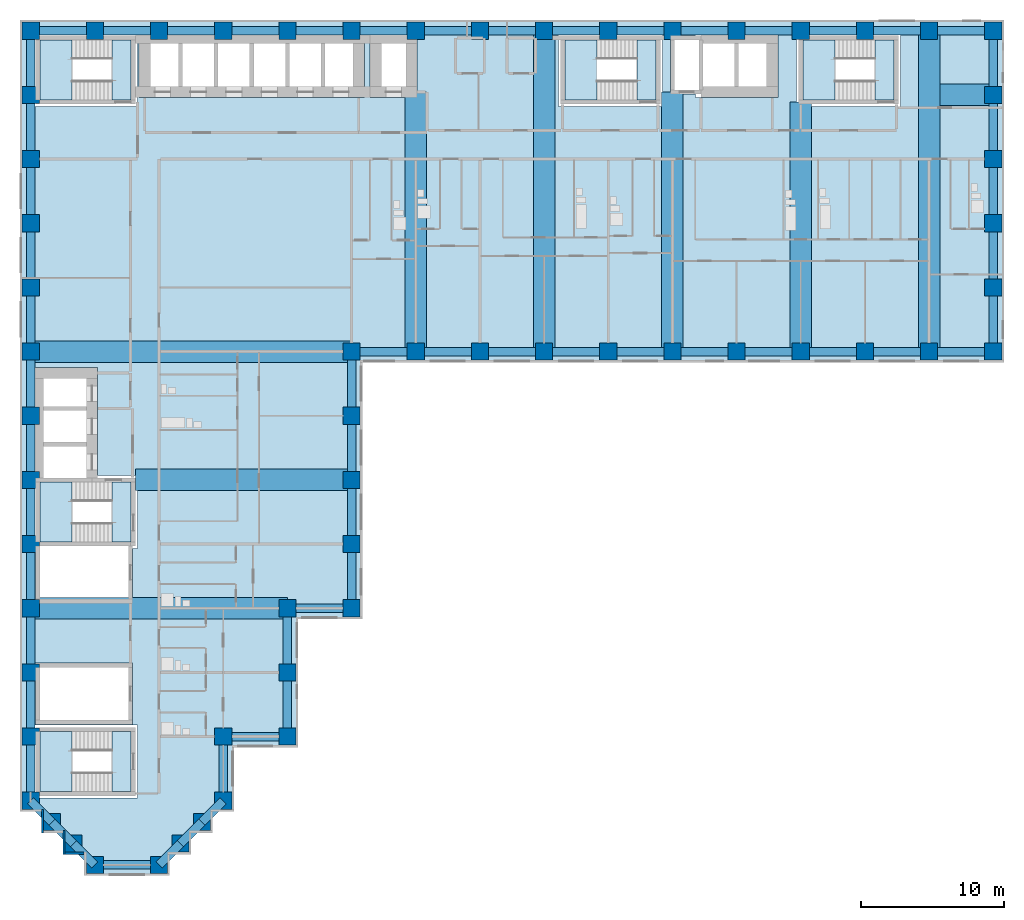
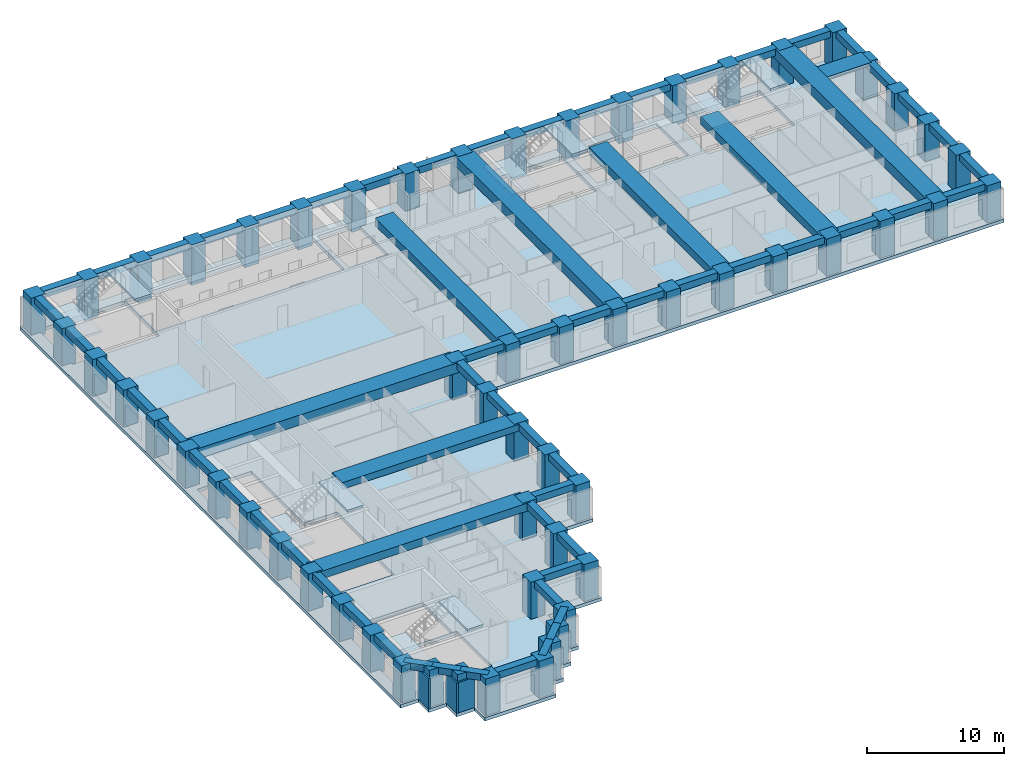
# One storey, part 1 of 12: 67 beams, 58 columns, 11 slabs, 3 walls, 5 elements without a shape of their own.
"""IFC4 building model written with IfcOpenShell, lengths in metres."""

from ifc_helpers import new_model, si_unit, direction, frame, frame_2d, origin, origin_2d, place, context, subcontext, project, spatial, polyline, rectangle, outline, extrude, material, layer, layer_set, material_profile, profile_set, type_object, element, aggregate, save


model = new_model("IFC4")

# Units and contexts
model_context = context("Model", 3, precision=1e-05, world=origin(), true_north=direction((0.0, 1.0)))
body_context = subcontext(model_context, "Body", "Model", "MODEL_VIEW")
ifc_project = project(units=[si_unit("LENGTHUNIT", "METRE"), si_unit("AREAUNIT", "SQUARE_METRE"), si_unit("VOLUMEUNIT", "CUBIC_METRE"), si_unit("PLANEANGLEUNIT", "RADIAN"), si_unit("MASSUNIT", "GRAM", prefix="KILO")], contexts=[model_context])

# Site, building, storey
site_placement = place(None, origin())
site = spatial("IfcSite", under=ifc_project, at=site_placement, CompositionType="ELEMENT")
building_placement = place(site_placement, origin())
building = spatial("IfcBuilding", under=site, at=building_placement, Name="Firuza Court", CompositionType="ELEMENT")
storey_placement = place(building_placement, frame((0.0, 0.0, 43.39990234375)))
storey = spatial("IfcBuildingStorey", under=building, at=storey_placement, Name="L09", CompositionType="ELEMENT", Elevation=43.39990234375)

# Columns
ifc_material_1 = material(Name="Concrete C70/85", Category="concrete")
ifc_material_profile_1 = material_profile(ifc_material_1, rectangle(XDim=1.199951171875, YDim=1.199951171875, at=origin_2d()), Name="RC 1200x1200")
ifc_profile_set_1 = profile_set([ifc_material_profile_1], Name="Concrete C70/85")
column_type = type_object("IfcColumnType", Name="Tube column RC 1200x1200 C70/85", PredefinedType="COLUMN", material=ifc_profile_set_1)
for number, where, z_axis, x_axis, name in (
    (1, (4.5, 0.0, -0.2998046875), (0.0, 0.0, 1.0), (1.0, 0.0, 0.0), "Column C-2D L09"),
    (2, (9.0, 0.0, -0.2998046875), (0.0, 0.0, 1.0), (1.0, 0.0, 0.0), "Column C-3D L09"),
    (3, (3.0, 1.5, -0.2998046875), (0.0, 0.0, 1.0), (1.0, 0.0, 0.0), "Column C-SA1 L09"),
    (4, (10.5, 1.5, -0.2998046875), (0.0, 0.0, 1.0), (1.0, 0.0, 0.0), "Column C-SA2 L09"),
    (5, (1.5, 3.0, -0.2998046875), (0.0, 0.0, 1.0), (1.0, 0.0, 0.0), "Column C-SA3 L09"),
    (6, (12.0, 3.0, -0.2998046875), (0.0, 0.0, 1.0), (1.0, 0.0, 0.0), "Column C-SA4 L09"),
    (7, (0.0, 4.5, -0.2998046875), (0.0, 0.0, 1.0), (1.0, 0.0, 0.0), "Column C-1E L09"),
    (8, (13.5, 4.5, -0.2998046875), (0.0, 0.0, 1.0), (1.0, 0.0, 0.0), "Column C-4E L09"),
    (9, (0.0, 9.0, -0.2998046875), (0.0, 0.0, 1.0), (1.0, 0.0, 0.0), "Column C-1F L09"),
    (10, (13.5, 9.0, -0.2998046875), (0.0, 0.0, 1.0), (1.0, 0.0, 0.0), "Column C-4F L09"),
    (11, (18.0, 9.0, -0.2998046875), (0.0, 0.0, 1.0), (1.0, 0.0, 0.0), "Column C-5F L09"),
    (12, (0.0, 13.5, -0.2998046875), (0.0, 0.0, 1.0), (1.0, 0.0, 0.0), "Column C-1G L09"),
    (13, (18.0, 13.5, -0.2998046875), (0.0, 0.0, 1.0), (1.0, 0.0, 0.0), "Column C-5G L09"),
    (14, (0.0, 18.0, -0.2998046875), (0.0, 0.0, 1.0), (1.0, 0.0, 0.0), "Column C-1H L09"),
    (15, (18.0, 18.0, -0.2998046875), (0.0, 0.0, 1.0), (1.0, 0.0, 0.0), "Column C-5H L09"),
    (16, (22.5, 18.0, -0.2998046875), (0.0, 0.0, 1.0), (1.0, 0.0, 0.0), "Column C-6H L09"),
    (17, (0.0, 22.5, -0.2998046875), (0.0, 0.0, 1.0), (1.0, 0.0, 0.0), "Column C-1J L09"),
    (18, (22.5, 22.5, -0.2998046875), (0.0, 0.0, 1.0), (1.0, 0.0, 0.0), "Column C-6J L09"),
    (19, (0.0, 27.0, -0.2998046875), (0.0, 0.0, 1.0), (1.0, 0.0, 0.0), "Column C-1K L09"),
    (20, (22.5, 27.0, -0.2998046875), (0.0, 0.0, 1.0), (1.0, 0.0, 0.0), "Column C-6K L09"),
    (21, (0.0, 31.5, -0.2998046875), (0.0, 0.0, 1.0), (1.0, 0.0, 0.0), "Column C-1L L09"),
    (22, (22.5, 31.5, -0.2998046875), (0.0, 0.0, 1.0), (1.0, 0.0, 0.0), "Column C-6L L09"),
    (23, (0.0, 36.0, -0.2998046875), (0.0, 0.0, 1.0), (1.0, 0.0, 0.0), "Column C-1M L09"),
    (24, (22.5, 36.0, -0.2998046875), (0.0, 0.0, 1.0), (1.0, 0.0, 0.0), "Column C-6M L09"),
    (25, (27.0, 36.0, -0.2998046875), (0.0, 0.0, 1.0), (1.0, 0.0, 0.0), "Column C-7M L09"),
    (26, (31.5, 36.0, -0.2998046875), (0.0, 0.0, 1.0), (1.0, 0.0, 0.0), "Column C-8M L09"),
    (27, (36.0, 36.0, -0.2998046875), (0.0, 0.0, 1.0), (1.0, 0.0, 0.0), "Column C-9M L09"),
    (28, (40.5, 36.0, -0.2998046875), (0.0, 0.0, 1.0), (1.0, 0.0, 0.0), "Column C-10M L09"),
    (29, (45.0, 36.0, -0.2998046875), (0.0, 0.0, 1.0), (1.0, 0.0, 0.0), "Column C-11M L09"),
    (30, (49.5, 36.0, -0.2998046875), (0.0, 0.0, 1.0), (1.0, 0.0, 0.0), "Column C-12M L09"),
    (31, (54.0, 36.0, -0.2998046875), (0.0, 0.0, 1.0), (1.0, 0.0, 0.0), "Column C-13M L09"),
    (32, (58.5, 36.0, -0.2998046875), (0.0, 0.0, 1.0), (1.0, 0.0, 0.0), "Column C-14M L09"),
    (33, (63.0, 36.0, -0.2998046875), (0.0, 0.0, 1.0), (1.0, 0.0, 0.0), "Column C-15M L09"),
    (34, (67.5, 36.0, -0.2998046875), (0.0, 0.0, 1.0), (1.0, 0.0, 0.0), "Column C-16M L09"),
    (35, (0.0, 40.5, -0.2998046875), (0.0, 0.0, 1.0), (1.0, 0.0, 0.0), "Column C-1N L09"),
    (36, (67.5, 40.5, -0.2998046875), (0.0, 0.0, 1.0), (1.0, 0.0, 0.0), "Column C-16N L09"),
    (37, (0.0, 45.0, -0.2998046875), (0.0, 0.0, 1.0), (1.0, 0.0, 0.0), "Column C-1P L09"),
    (38, (67.5, 45.0, -0.2998046875), (0.0, 0.0, 1.0), (1.0, 0.0, 0.0), "Column C-16P L09"),
    (39, (0.0, 49.5, -0.2998046875), (0.0, 0.0, 1.0), (1.0, 0.0, 0.0), "Column C-1Q L09"),
    (40, (67.5, 49.5, -0.2998046875), (0.0, 0.0, 1.0), (1.0, 0.0, 0.0), "Column C-16Q L09"),
    (41, (0.0, 54.0, -0.2998046875), (0.0, 0.0, 1.0), (1.0, 0.0, 0.0), "Column C-1R L09"),
    (42, (67.5, 54.0, -0.2998046875), (0.0, 0.0, 1.0), (1.0, 0.0, 0.0), "Column C-16R L09"),
    (43, (0.0, 58.5, -0.2998046875), (0.0, 0.0, 1.0), (1.0, 0.0, 0.0), "Column C-1S L09"),
    (44, (4.5, 58.5, -0.2998046875), (0.0, 0.0, 1.0), (1.0, 0.0, 0.0), "Column C-2S L09"),
    (45, (9.0, 58.5, -0.2998046875), (0.0, 0.0, 1.0), (1.0, 0.0, 0.0), "Column C-3S L09"),
    (46, (13.5, 58.5, -0.2998046875), (0.0, 0.0, 1.0), (1.0, 0.0, 0.0), "Column C-4S L09"),
    (47, (18.0, 58.5, -0.2998046875), (0.0, 0.0, 1.0), (1.0, 0.0, 0.0), "Column C-5S L09"),
    (48, (22.5, 58.5, -0.2998046875), (0.0, 0.0, 1.0), (1.0, 0.0, 0.0), "Column C-6S L09"),
    (49, (27.0, 58.5, -0.2998046875), (0.0, 0.0, 1.0), (1.0, 0.0, 0.0), "Column C-7S L09"),
    (50, (31.5, 58.5, -0.2998046875), (0.0, 0.0, 1.0), (1.0, 0.0, 0.0), "Column C-8S L09"),
    (51, (36.0, 58.5, -0.2998046875), (0.0, 0.0, 1.0), (1.0, 0.0, 0.0), "Column C-9S L09"),
    (52, (40.5, 58.5, -0.2998046875), (0.0, 0.0, 1.0), (1.0, 0.0, 0.0), "Column C-10S L09"),
    (53, (45.0, 58.5, -0.2998046875), (0.0, 0.0, 1.0), (1.0, 0.0, 0.0), "Column C-11S L09"),
    (54, (49.5, 58.5, -0.2998046875), (0.0, 0.0, 1.0), (1.0, 0.0, 0.0), "Column C-12S L09"),
    (55, (54.0, 58.5, -0.2998046875), (0.0, 0.0, 1.0), (1.0, 0.0, 0.0), "Column C-13S L09"),
    (56, (58.5, 58.5, -0.2998046875), (0.0, 0.0, 1.0), (1.0, 0.0, 0.0), "Column C-14S L09"),
    (57, (63.0, 58.5, -0.2998046875), (0.0, 0.0, 1.0), (1.0, 0.0, 0.0), "Column C-15S L09"),
    (58, (67.5, 58.5, -0.2998046875), (0.0, 0.0, 1.0), (1.0, 0.0, 0.0), "Column C-16S L09"),
):
    element("IfcColumn", number, at=place(storey_placement, frame(where, z_axis=z_axis, x_axis=x_axis)), inside=storey, type_object=column_type, Name=name, PredefinedType="COLUMN", context=body_context, shape_type="SweptSolid", body=[
        extrude(rectangle(XDim=1.199951171875, YDim=1.199951171875, at=origin_2d()), origin(), (0.0, 0.0, 1.0), 3.599853515625),
    ])

# Beams
ifc_material_2 = material(Name="Concrete C40/50", Category="concrete")
ifc_material_profile_2 = material_profile(ifc_material_2, rectangle(XDim=1.5, YDim=0.300048828125, at=origin_2d()), Name="RC 1500x300")
ifc_profile_set_2 = profile_set([ifc_material_profile_2], Name="Concrete C40/50")
beam_type_1 = type_object("IfcBeamType", Name="Band beam RC 1500x300 C40/50", PredefinedType="BEAM", material=ifc_profile_set_2)
beam_1_placement = place(storey_placement, frame((67.5, 54.0, 3.150146484375), z_axis=(-1.0, 0.0, 0.0), x_axis=(0.0, -1.0, 0.0)))
element("IfcBeam", 59, at=beam_1_placement, inside=storey, type_object=beam_type_1, Name="Band beam FB6 level L10", PredefinedType="BEAM", context=body_context, shape_type="SweptSolid", body=[
    extrude(rectangle(XDim=1.5, YDim=0.300048828125, at=origin_2d()), origin(), (0.0, 0.0, 1.0), 3.75),
])
ifc_material_3 = material(Name="Concrete C40/50", Category="concrete")
ifc_material_profile_3 = material_profile(ifc_material_3, rectangle(XDim=1.5, YDim=0.60009765625, at=origin_2d()), Name="RC 1500x600")
ifc_profile_set_3 = profile_set([ifc_material_profile_3], Name="Concrete C40/50")
beam_type_2 = type_object("IfcBeamType", Name="Band beam RC 1500x600 C40/50", PredefinedType="BEAM", material=ifc_profile_set_3)
beam_2_placement = place(storey_placement, frame((22.5, 27.0, 3.0), z_axis=(-1.0, 0.0, 0.0), x_axis=(0.0, -1.0, 0.0)))
element("IfcBeam", 60, at=beam_2_placement, inside=storey, type_object=beam_type_2, Name="Band beam FB3 level L10", PredefinedType="BEAM", context=body_context, shape_type="SweptSolid", body=[
    extrude(rectangle(XDim=1.5, YDim=0.60009765625, at=origin_2d()), origin(), (0.0, 0.0, 1.0), 15.14990234375),
])
ifc_material_4 = material(Name="Concrete C40/50", Category="concrete")
ifc_material_profile_4 = material_profile(ifc_material_4, rectangle(XDim=1.5, YDim=0.699951171875, at=origin_2d()), Name="RC 1500x700")
ifc_profile_set_4 = profile_set([ifc_material_profile_4], Name="Concrete C40/50")
beam_type_3 = type_object("IfcBeamType", Name="Band beam RC 1500x700 C40/50", PredefinedType="BEAM", material=ifc_profile_set_4)
beam_3_placement = place(storey_placement, frame((0.0, 18.0, 2.9501953125), z_axis=(1.0, 0.0, 0.0), x_axis=(0.0, 1.0, 0.0)))
element("IfcBeam", 61, at=beam_3_placement, inside=storey, type_object=beam_type_3, Name="Band beam FB1 level L10", PredefinedType="BEAM", context=body_context, shape_type="SweptSolid", body=[
    extrude(rectangle(XDim=1.5, YDim=0.699951171875, at=origin_2d()), origin(), (0.0, 0.0, 1.0), 18.0),
])
for number, where, z_axis, x_axis, name in (
    (62, (27.0, 36.0, 2.9501953125), (0.0, 1.0, 0.0), (-1.0, 0.0, 0.0), "Band beam FB1 level L10"),
    (63, (45.0, 36.0, 2.9501953125), (0.0, 1.0, 0.0), (-1.0, 0.0, 0.0), "Band beam FB1 level L10"),
):
    element("IfcBeam", number, at=place(storey_placement, frame(where, z_axis=z_axis, x_axis=x_axis)), inside=storey, type_object=beam_type_3, Name=name, PredefinedType="BEAM", context=body_context, shape_type="SweptSolid", body=[
        extrude(rectangle(XDim=1.5, YDim=0.699951171875, at=origin_2d()), origin(), (0.0, 0.0, 1.0), 18.199951171875),
    ])
beam_4_placement = place(storey_placement, frame((54.0, 36.0, 2.9501953125), z_axis=(0.0, 1.0, 0.0), x_axis=(-1.0, 0.0, 0.0)))
element("IfcBeam", 64, at=beam_4_placement, inside=storey, type_object=beam_type_3, Name="Band beam FB1 level L10", PredefinedType="BEAM", context=body_context, shape_type="SweptSolid", body=[
    extrude(rectangle(XDim=1.5, YDim=0.699951171875, at=origin_2d()), origin(), (0.0, 0.0, 1.0), 17.5),
])
ifc_material_5 = material(Name="Concrete C40/50", Category="concrete")
ifc_material_profile_5 = material_profile(ifc_material_5, rectangle(XDim=1.5, YDim=0.89990234375, at=origin_2d()), Name="RC 1500x900")
ifc_profile_set_5 = profile_set([ifc_material_profile_5], Name="Concrete C40/50")
beam_type_4 = type_object("IfcBeamType", Name="Band beam RC 1500x900 C40/50", PredefinedType="BEAM", material=ifc_profile_set_5)
for number, where, z_axis, x_axis, name in (
    (65, (0.0, 36.0, 2.85009765625), (1.0, 0.0, 0.0), (0.0, 1.0, 0.0), "Band beam FB2 level L10"),
    (66, (36.0, 36.0, 2.85009765625), (0.0, 1.0, 0.0), (-1.0, 0.0, 0.0), "Band beam FB2 level L10"),
    (67, (63.0, 36.0, 2.85009765625), (0.0, 1.0, 0.0), (-1.0, 0.0, 0.0), "Band beam FB2 level L10"),
):
    element("IfcBeam", number, at=place(storey_placement, frame(where, z_axis=z_axis, x_axis=x_axis)), inside=storey, type_object=beam_type_4, Name=name, PredefinedType="BEAM", context=body_context, shape_type="SweptSolid", body=[
        extrude(rectangle(XDim=1.5, YDim=0.89990234375, at=origin_2d()), origin(), (0.0, 0.0, 1.0), 22.5),
    ])
ifc_material_6 = material(Name="Concrete C40/50", Category="concrete")
ifc_material_profile_6 = material_profile(ifc_material_6, rectangle(XDim=0.60009765625, YDim=0.60009765625, at=origin_2d()), Name="RC 600x600")
ifc_profile_set_6 = profile_set([ifc_material_profile_6], Name="Concrete C40/50")
beam_type_5 = type_object("IfcBeamType", Name="Spandrel beam RC 600x600 C40/50", PredefinedType="BEAM", material=ifc_profile_set_6)
beam_5_placement = place(storey_placement, frame((0.0, 4.5, 3.0), z_axis=(0.707106781187, -0.707106781187, 0.0), x_axis=(0.707106781187, 0.707106781187, 0.0)))
element("IfcBeam", 68, at=beam_5_placement, inside=storey, type_object=beam_type_5, Name="Spandrel beam SP11 level L10", PredefinedType="BEAM", context=body_context, shape_type="SweptSolid", body=[
    extrude(rectangle(XDim=0.60009765625, YDim=0.60009765625, at=origin_2d()), origin(), (0.0, 0.0, 1.0), 2.121337890625),
])
for number, where, z_axis, x_axis, name in (
    (69, (0.0, 9.0, 3.0), (0.0, -1.0, 0.0), (1.0, 0.0, 0.0), "Spandrel beam SP11 level L10"),
    (70, (0.0, 13.5, 3.0), (0.0, -1.0, 0.0), (1.0, 0.0, 0.0), "Spandrel beam SP11 level L10"),
    (71, (0.0, 18.0, 3.0), (0.0, -1.0, 0.0), (1.0, 0.0, 0.0), "Spandrel beam SP11 level L10"),
    (72, (0.0, 22.5, 3.0), (0.0, -1.0, 0.0), (1.0, 0.0, 0.0), "Spandrel beam SP11 level L10"),
    (73, (0.0, 27.0, 3.0), (0.0, -1.0, 0.0), (1.0, 0.0, 0.0), "Spandrel beam SP11 level L10"),
    (74, (0.0, 31.5, 3.0), (0.0, -1.0, 0.0), (1.0, 0.0, 0.0), "Spandrel beam SP11 level L10"),
    (75, (0.0, 36.0, 3.0), (0.0, -1.0, 0.0), (1.0, 0.0, 0.0), "Spandrel beam SP11 level L10"),
    (76, (0.0, 40.5, 3.0), (0.0, -1.0, 0.0), (1.0, 0.0, 0.0), "Spandrel beam SP11 level L10"),
    (77, (0.0, 45.0, 3.0), (0.0, -1.0, 0.0), (1.0, 0.0, 0.0), "Spandrel beam SP11 level L10"),
    (78, (0.0, 49.5, 3.0), (0.0, -1.0, 0.0), (1.0, 0.0, 0.0), "Spandrel beam SP11 level L10"),
    (79, (0.0, 54.0, 3.0), (0.0, -1.0, 0.0), (1.0, 0.0, 0.0), "Spandrel beam SP11 level L10"),
    (80, (0.0, 58.5, 3.0), (0.0, -1.0, 0.0), (1.0, 0.0, 0.0), "Spandrel beam SP11 level L10"),
):
    element("IfcBeam", number, at=place(storey_placement, frame(where, z_axis=z_axis, x_axis=x_axis)), inside=storey, type_object=beam_type_5, Name=name, PredefinedType="BEAM", context=body_context, shape_type="SweptSolid", body=[
        extrude(rectangle(XDim=0.60009765625, YDim=0.60009765625, at=origin_2d()), origin(), (0.0, 0.0, 1.0), 4.5),
    ])
for number, where, z_axis, x_axis, name in (
    (81, (1.5, 3.0, 3.0), (0.707106781187, -0.707106781187, 0.0), (0.707106781187, 0.707106781187, 0.0), "Spandrel beam SP11 level L10"),
    (82, (3.0, 1.5, 3.0), (0.707106781187, -0.707106781187, 0.0), (0.707106781187, 0.707106781187, 0.0), "Spandrel beam SP11 level L10"),
):
    element("IfcBeam", number, at=place(storey_placement, frame(where, z_axis=z_axis, x_axis=x_axis)), inside=storey, type_object=beam_type_5, Name=name, PredefinedType="BEAM", context=body_context, shape_type="SweptSolid", body=[
        extrude(rectangle(XDim=0.60009765625, YDim=0.60009765625, at=origin_2d()), origin(), (0.0, 0.0, 1.0), 2.121337890625),
    ])
for number, where, z_axis, x_axis, name in (
    (83, (4.5, 0.0, 3.0), (1.0, 0.0, 0.0), (0.0, 1.0, 0.0), "Spandrel beam SP11 level L10"),
    (84, (4.5, 58.5, 3.0), (-1.0, 0.0, 0.0), (0.0, -1.0, 0.0), "Spandrel beam SP11 level L10"),
):
    element("IfcBeam", number, at=place(storey_placement, frame(where, z_axis=z_axis, x_axis=x_axis)), inside=storey, type_object=beam_type_5, Name=name, PredefinedType="BEAM", context=body_context, shape_type="SweptSolid", body=[
        extrude(rectangle(XDim=0.60009765625, YDim=0.60009765625, at=origin_2d()), origin(), (0.0, 0.0, 1.0), 4.5),
    ])
beam_6_placement = place(storey_placement, frame((9.0, 0.0, 3.0), z_axis=(0.707106781187, 0.707106781187, 0.0), x_axis=(-0.707106781187, 0.707106781187, 0.0)))
element("IfcBeam", 85, at=beam_6_placement, inside=storey, type_object=beam_type_5, Name="Spandrel beam SP11 level L10", PredefinedType="BEAM", context=body_context, shape_type="SweptSolid", body=[
    extrude(rectangle(XDim=0.60009765625, YDim=0.60009765625, at=origin_2d()), origin(), (0.0, 0.0, 1.0), 2.121337890625),
])
beam_7_placement = place(storey_placement, frame((9.0, 58.5, 3.0), z_axis=(-1.0, 0.0, 0.0), x_axis=(0.0, -1.0, 0.0)))
element("IfcBeam", 86, at=beam_7_placement, inside=storey, type_object=beam_type_5, Name="Spandrel beam SP11 level L10", PredefinedType="BEAM", context=body_context, shape_type="SweptSolid", body=[
    extrude(rectangle(XDim=0.60009765625, YDim=0.60009765625, at=origin_2d()), origin(), (0.0, 0.0, 1.0), 4.5),
])
for number, where, z_axis, x_axis, name in (
    (87, (10.5, 1.5, 3.0), (0.707106781187, 0.707106781187, 0.0), (-0.707106781187, 0.707106781187, 0.0), "Spandrel beam SP11 level L10"),
    (88, (12.0, 3.0, 3.0), (0.707106781187, 0.707106781187, 0.0), (-0.707106781187, 0.707106781187, 0.0), "Spandrel beam SP11 level L10"),
):
    element("IfcBeam", number, at=place(storey_placement, frame(where, z_axis=z_axis, x_axis=x_axis)), inside=storey, type_object=beam_type_5, Name=name, PredefinedType="BEAM", context=body_context, shape_type="SweptSolid", body=[
        extrude(rectangle(XDim=0.60009765625, YDim=0.60009765625, at=origin_2d()), origin(), (0.0, 0.0, 1.0), 2.121337890625),
    ])
for number, where, z_axis, x_axis, name in (
    (89, (13.5, 4.5, 3.0), (0.0, 1.0, 0.0), (-1.0, 0.0, 0.0), "Spandrel beam SP11 level L10"),
    (90, (13.5, 9.0, 3.0), (1.0, 0.0, 0.0), (0.0, 1.0, 0.0), "Spandrel beam SP11 level L10"),
    (91, (13.5, 58.5, 3.0), (-1.0, 0.0, 0.0), (0.0, -1.0, 0.0), "Spandrel beam SP11 level L10"),
    (92, (18.0, 9.0, 3.0), (0.0, 1.0, 0.0), (-1.0, 0.0, 0.0), "Spandrel beam SP11 level L10"),
    (93, (18.0, 13.5, 3.0), (0.0, 1.0, 0.0), (-1.0, 0.0, 0.0), "Spandrel beam SP11 level L10"),
    (94, (18.0, 18.0, 3.0), (1.0, 0.0, 0.0), (0.0, 1.0, 0.0), "Spandrel beam SP11 level L10"),
    (95, (18.0, 58.5, 3.0), (-1.0, 0.0, 0.0), (0.0, -1.0, 0.0), "Spandrel beam SP11 level L10"),
    (96, (22.5, 18.0, 3.0), (0.0, 1.0, 0.0), (-1.0, 0.0, 0.0), "Spandrel beam SP11 level L10"),
    (97, (22.5, 22.5, 3.0), (0.0, 1.0, 0.0), (-1.0, 0.0, 0.0), "Spandrel beam SP11 level L10"),
    (98, (22.5, 27.0, 3.0), (0.0, 1.0, 0.0), (-1.0, 0.0, 0.0), "Spandrel beam SP11 level L10"),
    (99, (22.5, 31.5, 3.0), (0.0, 1.0, 0.0), (-1.0, 0.0, 0.0), "Spandrel beam SP11 level L10"),
    (100, (22.5, 36.0, 3.0), (1.0, 0.0, 0.0), (0.0, 1.0, 0.0), "Spandrel beam SP11 level L10"),
    (101, (22.5, 58.5, 3.0), (-1.0, 0.0, 0.0), (0.0, -1.0, 0.0), "Spandrel beam SP11 level L10"),
    (102, (27.0, 36.0, 3.0), (1.0, 0.0, 0.0), (0.0, 1.0, 0.0), "Spandrel beam SP11 level L10"),
    (103, (27.0, 58.5, 3.0), (-1.0, 0.0, 0.0), (0.0, -1.0, 0.0), "Spandrel beam SP11 level L10"),
    (104, (31.5, 36.0, 3.0), (1.0, 0.0, 0.0), (0.0, 1.0, 0.0), "Spandrel beam SP11 level L10"),
    (105, (31.5, 58.5, 3.0), (-1.0, 0.0, 0.0), (0.0, -1.0, 0.0), "Spandrel beam SP11 level L10"),
    (106, (36.0, 36.0, 3.0), (1.0, 0.0, 0.0), (0.0, 1.0, 0.0), "Spandrel beam SP11 level L10"),
    (107, (36.0, 58.5, 3.0), (-1.0, 0.0, 0.0), (0.0, -1.0, 0.0), "Spandrel beam SP11 level L10"),
    (108, (40.5, 36.0, 3.0), (1.0, 0.0, 0.0), (0.0, 1.0, 0.0), "Spandrel beam SP11 level L10"),
    (109, (40.5, 58.5, 3.0), (-1.0, 0.0, 0.0), (0.0, -1.0, 0.0), "Spandrel beam SP11 level L10"),
    (110, (45.0, 36.0, 3.0), (1.0, 0.0, 0.0), (0.0, 1.0, 0.0), "Spandrel beam SP11 level L10"),
    (111, (45.0, 58.5, 3.0), (-1.0, 0.0, 0.0), (0.0, -1.0, 0.0), "Spandrel beam SP11 level L10"),
    (112, (49.5, 36.0, 3.0), (1.0, 0.0, 0.0), (0.0, 1.0, 0.0), "Spandrel beam SP11 level L10"),
    (113, (49.5, 58.5, 3.0), (-1.0, 0.0, 0.0), (0.0, -1.0, 0.0), "Spandrel beam SP11 level L10"),
    (114, (54.0, 36.0, 3.0), (1.0, 0.0, 0.0), (0.0, 1.0, 0.0), "Spandrel beam SP11 level L10"),
    (115, (54.0, 58.5, 3.0), (-1.0, 0.0, 0.0), (0.0, -1.0, 0.0), "Spandrel beam SP11 level L10"),
    (116, (58.5, 36.0, 3.0), (1.0, 0.0, 0.0), (0.0, 1.0, 0.0), "Spandrel beam SP11 level L10"),
    (117, (58.5, 58.5, 3.0), (-1.0, 0.0, 0.0), (0.0, -1.0, 0.0), "Spandrel beam SP11 level L10"),
    (118, (63.0, 36.0, 3.0), (1.0, 0.0, 0.0), (0.0, 1.0, 0.0), "Spandrel beam SP11 level L10"),
    (119, (63.0, 58.5, 3.0), (-1.0, 0.0, 0.0), (0.0, -1.0, 0.0), "Spandrel beam SP11 level L10"),
    (120, (67.5, 36.0, 3.0), (0.0, 1.0, 0.0), (-1.0, 0.0, 0.0), "Spandrel beam SP11 level L10"),
    (121, (67.5, 40.5, 3.0), (0.0, 1.0, 0.0), (-1.0, 0.0, 0.0), "Spandrel beam SP11 level L10"),
    (122, (67.5, 45.0, 3.0), (0.0, 1.0, 0.0), (-1.0, 0.0, 0.0), "Spandrel beam SP11 level L10"),
    (123, (67.5, 49.5, 3.0), (0.0, 1.0, 0.0), (-1.0, 0.0, 0.0), "Spandrel beam SP11 level L10"),
    (124, (67.5, 54.0, 3.0), (0.0, 1.0, 0.0), (-1.0, 0.0, 0.0), "Spandrel beam SP11 level L10"),
    (125, (67.5, 58.5, 3.0), (-1.0, 0.0, 0.0), (0.0, -1.0, 0.0), "Spandrel beam SP11 level L10"),
):
    element("IfcBeam", number, at=place(storey_placement, frame(where, z_axis=z_axis, x_axis=x_axis)), inside=storey, type_object=beam_type_5, Name=name, PredefinedType="BEAM", context=body_context, shape_type="SweptSolid", body=[
        extrude(rectangle(XDim=0.60009765625, YDim=0.60009765625, at=origin_2d()), origin(), (0.0, 0.0, 1.0), 4.5),
    ])

# Slab
ifc_material_7 = material(Name="Concrete C40/50", Category="concrete")
ifc_layer_1 = layer(ifc_material_7, 0.300048828125)
ifc_layer_set_1 = layer_set([ifc_layer_1], Name="Concrete C40/50")
slab_type_1 = type_object("IfcSlabType", Name="Floor slab 300 C40/50", PredefinedType="FLOOR", material=ifc_layer_set_1)
slab_1_placement = place(storey_placement, frame((0.0, 0.0, -0.2998046875)))
element("IfcSlab", 126, at=slab_1_placement, inside=storey, type_object=slab_type_1, Name="Floor slab L09", PredefinedType="FLOOR", context=body_context, shape_type="SweptSolid", body=[
    extrude(outline(polyline([(3.75, -0.75), (3.75, 0.75), (2.25, 0.75), (2.25, 2.25), (0.75, 2.25), (0.75, 3.75), (-0.75, 3.75), (-0.75, 59.25), (68.25, 59.25), (68.25, 35.25), (23.25, 35.25), (23.25, 17.25), (18.75, 17.25), (18.75, 8.25), (14.25, 8.25), (14.25, 3.75), (12.75, 3.75), (12.75, 2.25), (11.25, 2.25), (11.25, 0.75), (9.75, 0.75), (9.75, -0.75), (3.75, -0.75)]), holes=[polyline([(7.5, 9.800048828125), (0.199951171875, 9.800048828125), (0.199951171875, 4.699951171875), (7.5, 4.699951171875), (7.5, 9.800048828125)]), polyline([(7.14990234375, 14.14990234375), (0.35009765625, 14.14990234375), (0.35009765625, 9.85009765625), (7.14990234375, 9.85009765625), (7.14990234375, 14.14990234375)]), polyline([(0.199951171875, 22.199951171875), (0.35009765625, 22.199951171875), (0.35009765625, 18.35009765625), (7.14990234375, 18.35009765625), (7.14990234375, 22.199951171875), (7.5, 22.199951171875), (7.5, 27.300048828125), (4.699951171875, 27.300048828125), (4.699951171875, 29.10009765625), (4.699951171875, 29.89990234375), (4.699951171875, 31.60009765625), (4.699951171875, 32.39990234375), (4.699951171875, 34.89990234375), (0.10009765625, 34.89990234375), (0.10009765625, 32.39990234375), (0.10009765625, 31.60009765625), (0.10009765625, 29.89990234375), (0.10009765625, 29.10009765625), (0.10009765625, 26.60009765625), (0.199951171875, 26.60009765625), (0.199951171875, 22.199951171875)]), polyline([(7.5, 58.300048828125), (0.199951171875, 58.300048828125), (0.199951171875, 53.199951171875), (7.5, 53.199951171875), (7.5, 58.300048828125)]), polyline([(10.10009765625, 58.39990234375), (7.60009765625, 58.39990234375), (7.60009765625, 53.800048828125), (10.10009765625, 53.800048828125), (10.89990234375, 53.800048828125), (12.60009765625, 53.800048828125), (13.39990234375, 53.800048828125), (15.10009765625, 53.800048828125), (15.89990234375, 53.800048828125), (17.60009765625, 53.800048828125), (18.39990234375, 53.800048828125), (20.10009765625, 53.800048828125), (20.89990234375, 53.800048828125), (23.39990234375, 53.800048828125), (23.39990234375, 58.39990234375), (20.89990234375, 58.39990234375), (20.10009765625, 58.39990234375), (18.39990234375, 58.39990234375), (17.60009765625, 58.39990234375), (15.89990234375, 58.39990234375), (15.10009765625, 58.39990234375), (13.39990234375, 58.39990234375), (12.60009765625, 58.39990234375), (10.89990234375, 58.39990234375), (10.10009765625, 58.39990234375)]), polyline([(44.300048828125, 58.300048828125), (37.0, 58.300048828125), (37.0, 53.199951171875), (44.300048828125, 53.199951171875), (44.300048828125, 58.300048828125)]), polyline([(61.0, 58.300048828125), (53.699951171875, 58.300048828125), (53.699951171875, 53.199951171875), (61.0, 53.199951171875), (61.0, 58.300048828125)]), polyline([(27.10009765625, 58.39990234375), (23.800048828125, 58.39990234375), (23.800048828125, 53.800048828125), (27.10009765625, 53.800048828125), (27.10009765625, 58.39990234375)]), polyline([(46.60009765625, 58.14990234375), (44.85009765625, 58.14990234375), (44.85009765625, 54.050048828125), (46.60009765625, 54.050048828125), (46.60009765625, 53.800048828125), (49.10009765625, 53.800048828125), (49.89990234375, 53.800048828125), (52.39990234375, 53.800048828125), (52.39990234375, 58.39990234375), (49.89990234375, 58.39990234375), (49.10009765625, 58.39990234375), (46.60009765625, 58.39990234375), (46.60009765625, 58.14990234375)])]), origin(), (0.0, 0.0, 1.0), 0.2998046875),
])

# Stair, slabs
ifc_material_8 = material(Name="Concrete C40/50 precast", Category="concrete")
stair_type = type_object("IfcStairType", Name="Stair 1350 x 3600 2 flights", PredefinedType="HALF_TURN_STAIR", material=ifc_material_8)
stair_1_placement = place(storey_placement, origin())
stair_1 = element("IfcStair", 127, at=stair_1_placement, inside=storey, type_object=stair_type, Name="Stair 1 L09", PredefinedType="HALF_TURN_STAIR")
ifc_material_9 = material(Name="Concrete C40/50 precast", Category="concrete")
ifc_layer_2 = layer(ifc_material_9, 0.199951171875)
ifc_layer_set_2 = layer_set([ifc_layer_2], Name="Concrete C40/50 precast")
slab_type_2 = type_object("IfcSlabType", Name="Stair landing 200", PredefinedType="LANDING", material=ifc_layer_set_2)
slab_2_placement = place(storey_placement, frame((0.0, 0.0, 1.60009765625)))
slab_2 = element("IfcSlab", 128, at=slab_2_placement, type_object=slab_type_2, Name="S1 landing 1", PredefinedType="LANDING", context=body_context, shape_type="SweptSolid", body=[
    extrude(outline(polyline([(39.699951171875, 53.64990234375), (39.699951171875, 57.85009765625), (37.449951171875, 57.85009765625), (37.449951171875, 53.64990234375), (39.699951171875, 53.64990234375)])), origin(), (0.0, 0.0, 1.0), 0.199951171875),
])
slab_3_placement = place(storey_placement, frame((0.0, 0.0, 3.400146484375)))
slab_3 = element("IfcSlab", 129, at=slab_3_placement, type_object=slab_type_2, Name="S1 landing 2", PredefinedType="LANDING", context=body_context, shape_type="SweptSolid", body=[
    extrude(outline(polyline([(43.85009765625, 53.64990234375), (43.85009765625, 57.85009765625), (42.5, 57.85009765625), (42.5, 53.64990234375), (43.85009765625, 53.64990234375)])), origin(), (0.0, 0.0, 1.0), 0.199951171875),
])
aggregate(stair_1, [slab_2, slab_3])

stair_2_placement = place(storey_placement, origin())
stair_2 = element("IfcStair", 130, at=stair_2_placement, inside=storey, type_object=stair_type, Name="Stair 2 L09", PredefinedType="HALF_TURN_STAIR")
slab_4_placement = place(storey_placement, frame((0.0, 0.0, 1.60009765625)))
slab_4 = element("IfcSlab", 131, at=slab_4_placement, type_object=slab_type_2, Name="S2 landing 1", PredefinedType="LANDING", context=body_context, shape_type="SweptSolid", body=[
    extrude(outline(polyline([(2.89990234375, 22.64990234375), (2.89990234375, 26.85009765625), (0.64990234375, 26.85009765625), (0.64990234375, 22.64990234375), (2.89990234375, 22.64990234375)])), origin(), (0.0, 0.0, 1.0), 0.199951171875),
])
slab_5_placement = place(storey_placement, frame((0.0, 0.0, 3.400146484375)))
slab_5 = element("IfcSlab", 132, at=slab_5_placement, type_object=slab_type_2, Name="S2 landing 2", PredefinedType="LANDING", context=body_context, shape_type="SweptSolid", body=[
    extrude(outline(polyline([(7.050048828125, 22.64990234375), (7.050048828125, 26.85009765625), (5.699951171875, 26.85009765625), (5.699951171875, 22.64990234375), (7.050048828125, 22.64990234375)])), origin(), (0.0, 0.0, 1.0), 0.199951171875),
])
aggregate(stair_2, [slab_4, slab_5])

stair_3_placement = place(storey_placement, origin())
stair_3 = element("IfcStair", 133, at=stair_3_placement, inside=storey, type_object=stair_type, Name="Stair 3 L09", PredefinedType="HALF_TURN_STAIR")
slab_6_placement = place(storey_placement, frame((0.0, 0.0, 1.60009765625)))
slab_6 = element("IfcSlab", 134, at=slab_6_placement, type_object=slab_type_2, Name="S3 landing 1", PredefinedType="LANDING", context=body_context, shape_type="SweptSolid", body=[
    extrude(outline(polyline([(2.89990234375, 53.64990234375), (2.89990234375, 57.85009765625), (0.64990234375, 57.85009765625), (0.64990234375, 53.64990234375), (2.89990234375, 53.64990234375)])), origin(), (0.0, 0.0, 1.0), 0.199951171875),
])
slab_7_placement = place(storey_placement, frame((0.0, 0.0, 3.400146484375)))
slab_7 = element("IfcSlab", 135, at=slab_7_placement, type_object=slab_type_2, Name="S3 landing 2", PredefinedType="LANDING", context=body_context, shape_type="SweptSolid", body=[
    extrude(outline(polyline([(7.050048828125, 53.64990234375), (7.050048828125, 57.85009765625), (5.699951171875, 57.85009765625), (5.699951171875, 53.64990234375), (7.050048828125, 53.64990234375)])), origin(), (0.0, 0.0, 1.0), 0.199951171875),
])
aggregate(stair_3, [slab_6, slab_7])

stair_4_placement = place(storey_placement, origin())
stair_4 = element("IfcStair", 136, at=stair_4_placement, inside=storey, type_object=stair_type, Name="Stair 4 L09", PredefinedType="HALF_TURN_STAIR")
slab_8_placement = place(storey_placement, frame((0.0, 0.0, 1.60009765625)))
slab_8 = element("IfcSlab", 137, at=slab_8_placement, type_object=slab_type_2, Name="S4 landing 1", PredefinedType="LANDING", context=body_context, shape_type="SweptSolid", body=[
    extrude(outline(polyline([(56.39990234375, 53.64990234375), (56.39990234375, 57.85009765625), (54.14990234375, 57.85009765625), (54.14990234375, 53.64990234375), (56.39990234375, 53.64990234375)])), origin(), (0.0, 0.0, 1.0), 0.199951171875),
])
slab_9_placement = place(storey_placement, frame((0.0, 0.0, 3.400146484375)))
slab_9 = element("IfcSlab", 138, at=slab_9_placement, type_object=slab_type_2, Name="S4 landing 2", PredefinedType="LANDING", context=body_context, shape_type="SweptSolid", body=[
    extrude(outline(polyline([(60.550048828125, 53.64990234375), (60.550048828125, 57.85009765625), (59.199951171875, 57.85009765625), (59.199951171875, 53.64990234375), (60.550048828125, 53.64990234375)])), origin(), (0.0, 0.0, 1.0), 0.199951171875),
])
aggregate(stair_4, [slab_8, slab_9])

stair_5_placement = place(storey_placement, origin())
stair_5 = element("IfcStair", 139, at=stair_5_placement, inside=storey, type_object=stair_type, Name="Stair 5 L09", PredefinedType="HALF_TURN_STAIR")
slab_10_placement = place(storey_placement, frame((0.0, 0.0, 1.60009765625)))
slab_10 = element("IfcSlab", 140, at=slab_10_placement, type_object=slab_type_2, Name="S5 landing 1", PredefinedType="LANDING", context=body_context, shape_type="SweptSolid", body=[
    extrude(outline(polyline([(2.89990234375, 5.14990234375), (2.89990234375, 9.35009765625), (0.64990234375, 9.35009765625), (0.64990234375, 5.14990234375), (2.89990234375, 5.14990234375)])), origin(), (0.0, 0.0, 1.0), 0.199951171875),
])
slab_11_placement = place(storey_placement, frame((0.0, 0.0, 3.400146484375)))
slab_11 = element("IfcSlab", 141, at=slab_11_placement, type_object=slab_type_2, Name="S5 landing 2", PredefinedType="LANDING", context=body_context, shape_type="SweptSolid", body=[
    extrude(outline(polyline([(7.050048828125, 5.14990234375), (7.050048828125, 9.35009765625), (5.699951171875, 9.35009765625), (5.699951171875, 5.14990234375), (7.050048828125, 5.14990234375)])), origin(), (0.0, 0.0, 1.0), 0.199951171875),
])
aggregate(stair_5, [slab_10, slab_11])

# Walls
ifc_material_10 = material(Name="Ceramic tile", Category="ceramic")
ifc_layer_3 = layer(ifc_material_10, 0.02001953125)
ifc_material_11 = material(Name="Mineral wool insulation", Category="insulation")
ifc_layer_4 = layer(ifc_material_11, 0.050048828125)
ifc_layer_5 = layer(ifc_material_9, 0.080078125)
ifc_layer_set_3 = layer_set([ifc_layer_3, ifc_layer_4, ifc_layer_5], Name="Concrete C40/50 precast")
wall_type = type_object("IfcWallType", Name="Precast cladding wall with turquoise TILE PANEL face 150", PredefinedType="STANDARD", material=ifc_layer_set_3)
for number, where, z_axis, x_axis, name in (
    (142, (0.824951171875, 3.89990234375, 0.0), (0.0, 0.0, 1.0), (0.0, -1.0, 0.0), "Facade wall L09 W"),
    (143, (2.324951171875, 2.39990234375, 0.0), (0.0, 0.0, 1.0), (0.0, -1.0, 0.0), "Facade wall L09 W"),
):
    element("IfcWall", number, at=place(storey_placement, frame(where, z_axis=z_axis, x_axis=x_axis)), inside=storey, type_object=wall_type, Name=name, PredefinedType="STANDARD", context=body_context, shape_type="SweptSolid", body=[
        extrude(rectangle(XDim=1.64990234375, YDim=0.14990234375, at=frame_2d((0.824951171875, 0.0))), origin(), (0.0, 0.0, 1.0), 2.7001953125),
    ])
wall_placement = place(storey_placement, frame((2.39990234375, 0.824951171875, 0.0), z_axis=(0.0, 0.0, 1.0), x_axis=(1.0, 0.0, 0.0)))
element("IfcWall", 144, at=wall_placement, inside=storey, type_object=wall_type, Name="Facade wall L09 S", PredefinedType="STANDARD", context=body_context, shape_type="SweptSolid", body=[
    extrude(rectangle(XDim=1.35009765625, YDim=0.14990234375, at=frame_2d((0.675048828125, 0.0))), origin(), (0.0, 0.0, 1.0), 2.7001953125),
])

save(model, "model.ifc")
